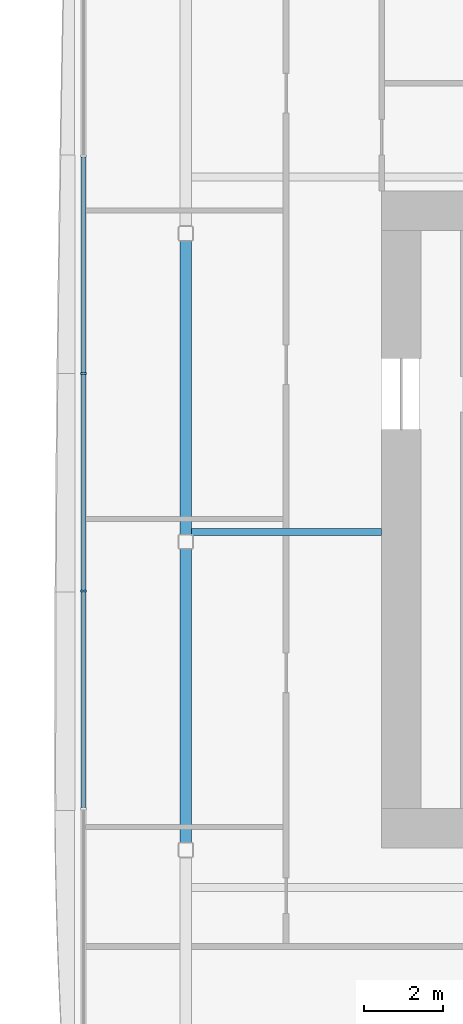
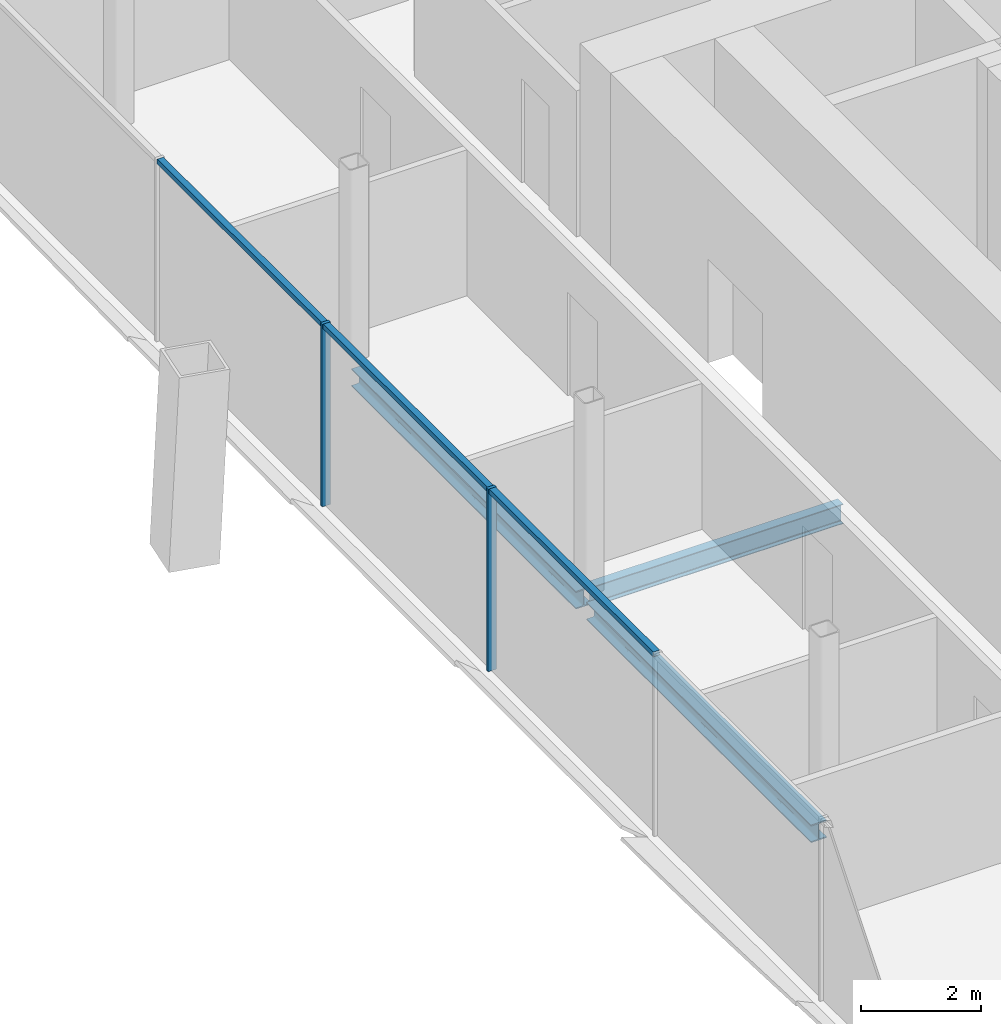
# One storey, part 5 of 20: 5 members, 3 beams, 1 element without a shape of its own.
"""IFC4 building model written with IfcOpenShell, lengths in metres."""

from ifc_helpers import new_model, si_unit, direction, frame, origin, origin_2d, place, context, subcontext, project, spatial, rectangle, i_section, extrude, material, material_profile, profile_set, type_object, element, aggregate, save


model = new_model("IFC4")

# Units and contexts
model_context = context("Model", 3, precision=1e-05, world=origin(), true_north=direction((0.0, 1.0)))
body_context = subcontext(model_context, "Body", "Model", "MODEL_VIEW")
ifc_project = project(units=[si_unit("LENGTHUNIT", "METRE"), si_unit("AREAUNIT", "SQUARE_METRE"), si_unit("VOLUMEUNIT", "CUBIC_METRE"), si_unit("PLANEANGLEUNIT", "RADIAN"), si_unit("MASSUNIT", "GRAM", prefix="KILO")], contexts=[model_context])

# Site, building, storey
site_placement = place(None, origin())
site = spatial("IfcSite", under=ifc_project, at=site_placement, CompositionType="ELEMENT")
building_placement = place(site_placement, origin())
building = spatial("IfcBuilding", under=site, at=building_placement, Name="Tskaro Facet Tower", CompositionType="ELEMENT")
storey_placement = place(building_placement, frame((0.0, 0.0, 69.89990234375)))
storey = spatial("IfcBuildingStorey", under=building, at=storey_placement, Name="L16", CompositionType="ELEMENT", Elevation=69.89990234375)

# Curtain wall, members
ifc_material_1 = material(Name="Bronze anodised aluminium 6063-T6", Category="aluminium")
curtain_wall_type = type_object("IfcCurtainWallType", Name="Bronze office curtain wall (FW1)", PredefinedType="NOTDEFINED", material=ifc_material_1)
curtain_wall_placement = place(storey_placement, origin())
curtain_wall = element("IfcCurtainWall", 1, at=curtain_wall_placement, inside=storey, type_object=curtain_wall_type, Name="FW1 west facet L16", PredefinedType="NOTDEFINED")
ifc_material_profile_1 = material_profile(ifc_material_1, rectangle(XDim=0.06005859375, YDim=0.159912109375, at=origin_2d()), Name="Mullion 60x160")
ifc_profile_set_1 = profile_set([ifc_material_profile_1], Name="Bronze anodised aluminium 6063-T6")
member_type_1 = type_object("IfcMemberType", Name="FW1 bronze mullion 60x160", PredefinedType="MULLION", material=ifc_profile_set_1)
member_1_placement = place(storey_placement, frame((-22.55908203125, -0.478515625, 0.0), z_axis=(0.0, 0.0, 1.0), x_axis=(0.0, -1.0, 0.0)))
member_1 = element("IfcMember", 2, at=member_1_placement, type_object=member_type_1, Name="FW1 west mullion 4", PredefinedType="MULLION", context=body_context, shape_type="SweptSolid", body=[
    extrude(rectangle(XDim=0.06005859375, YDim=0.159912109375, at=origin_2d()), origin(), (0.0, 0.0, 1.0), 3.7001953125),
])
member_2_placement = place(storey_placement, frame((-22.55908203125, -5.99169921875, 0.0), z_axis=(0.0, 0.0, 1.0), x_axis=(0.0, -1.0, 0.0)))
member_2 = element("IfcMember", 3, at=member_2_placement, type_object=member_type_1, Name="FW1 west mullion 5", PredefinedType="MULLION", context=body_context, shape_type="SweptSolid", body=[
    extrude(rectangle(XDim=0.06005859375, YDim=0.159912109375, at=origin_2d()), origin(), (0.0, 0.0, 1.0), 3.7001953125),
])
ifc_material_profile_2 = material_profile(ifc_material_1, rectangle(XDim=0.1201171875, YDim=0.10009765625, at=origin_2d()), Name="Transom 120x100")
ifc_profile_set_2 = profile_set([ifc_material_profile_2], Name="Bronze anodised aluminium 6063-T6")
member_type_2 = type_object("IfcMemberType", Name="FW1 bronze transom 120x100", PredefinedType="USERDEFINED", material=ifc_profile_set_2)
member_3_placement = place(storey_placement, frame((-22.55908203125, 5.004638671875, 3.650146484375), z_axis=(0.0, -1.0, 0.0), x_axis=(1.0, 0.0, 0.0)))
member_3 = element("IfcMember", 4, at=member_3_placement, type_object=member_type_2, Name="FW1 west transom 4.1", ObjectType="TRANSOM", PredefinedType="USERDEFINED", context=body_context, shape_type="SweptSolid", body=[
    extrude(rectangle(XDim=0.1201171875, YDim=0.10009765625, at=origin_2d()), origin(), (0.0, 0.0, 1.0), 5.453125),
])
member_4_placement = place(storey_placement, frame((-22.55908203125, -0.508544921875, 3.650146484375), z_axis=(0.0, -1.0, 0.0), x_axis=(1.0, 0.0, 0.0)))
member_4 = element("IfcMember", 5, at=member_4_placement, type_object=member_type_2, Name="FW1 west transom 5.1", ObjectType="TRANSOM", PredefinedType="USERDEFINED", context=body_context, shape_type="SweptSolid", body=[
    extrude(rectangle(XDim=0.1201171875, YDim=0.10009765625, at=origin_2d()), origin(), (0.0, 0.0, 1.0), 5.453125),
])
member_5_placement = place(storey_placement, frame((-22.55908203125, -6.021728515625, 3.650146484375), z_axis=(0.0, -1.0, 0.0), x_axis=(1.0, 0.0, 0.0)))
member_5 = element("IfcMember", 6, at=member_5_placement, type_object=member_type_2, Name="FW1 west transom 6.1", ObjectType="TRANSOM", PredefinedType="USERDEFINED", context=body_context, shape_type="SweptSolid", body=[
    extrude(rectangle(XDim=0.1201171875, YDim=0.10009765625, at=origin_2d()), origin(), (0.0, 0.0, 1.0), 5.453125),
])
aggregate(curtain_wall, [member_1, member_2, member_3, member_4, member_5])

# Beams
ifc_material_2 = material(Name="Steel S355J2", Category="steel")
ifc_material_profile_3 = material_profile(ifc_material_2, i_section(OverallWidth=0.300048828125, OverallDepth=0.360107421875, WebThickness=0.012451171875, FlangeThickness=0.0224609375, FilletRadius=0.027099609375, at=origin_2d()), Name="HE 360 B")
ifc_profile_set_3 = profile_set([ifc_material_profile_3], Name="Steel S355J2")
beam_type_1 = type_object("IfcBeamType", Name="HE 360 B ring beam", PredefinedType="BEAM", material=ifc_profile_set_3)
beam_1_placement = place(storey_placement, frame((-19.965087890625, 2.887939453125, -0.31982421875), z_axis=(0.0, -1.0, 0.0), x_axis=(1.0, 0.0, 0.0)))
element("IfcBeam", 7, at=beam_1_placement, inside=storey, type_object=beam_type_1, Name="HE 360 B EB21-2", PredefinedType="BEAM", context=body_context, shape_type="SweptSolid", body=[
    extrude(i_section(OverallWidth=0.300048828125, OverallDepth=0.360107421875, WebThickness=0.012451171875, FlangeThickness=0.0224609375, FilletRadius=0.027099609375, at=origin_2d()), origin(), (0.0, 0.0, 1.0), 7.449951171875),
])
beam_2_placement = place(storey_placement, frame((-19.965087890625, -4.922119140625, -0.31982421875), z_axis=(0.0, -1.0, 0.0), x_axis=(1.0, 0.0, 0.0)))
element("IfcBeam", 8, at=beam_2_placement, inside=storey, type_object=beam_type_1, Name="HE 360 B EB22-2", PredefinedType="BEAM", context=body_context, shape_type="SweptSolid", body=[
    extrude(i_section(OverallWidth=0.300048828125, OverallDepth=0.360107421875, WebThickness=0.012451171875, FlangeThickness=0.0224609375, FilletRadius=0.027099609375, at=origin_2d()), origin(), (0.0, 0.0, 1.0), 7.450927734375),
])
ifc_material_profile_4 = material_profile(ifc_material_2, i_section(OverallWidth=0.179931640625, OverallDepth=0.39990234375, WebThickness=0.008544921875, FlangeThickness=0.013427734375, FilletRadius=0.02099609375, at=origin_2d()), Name="IPE 400")
ifc_profile_set_4 = profile_set([ifc_material_profile_4], Name="Steel S355J2")
beam_type_2 = type_object("IfcBeamType", Name="IPE 400 secondary beam", PredefinedType="BEAM", material=ifc_profile_set_4)
beam_3_placement = place(storey_placement, frame((-19.81494140625, -4.5, -0.33984375), z_axis=(1.0, 0.0, 0.0), x_axis=(0.0, 1.0, 0.0)))
element("IfcBeam", 9, at=beam_3_placement, inside=storey, type_object=beam_type_2, Name="IPE 400 SB3a-1-2", PredefinedType="BEAM", context=body_context, shape_type="SweptSolid", body=[
    extrude(i_section(OverallWidth=0.179931640625, OverallDepth=0.39990234375, WebThickness=0.008544921875, FlangeThickness=0.013427734375, FilletRadius=0.02099609375, at=origin_2d()), origin(), (0.0, 0.0, 1.0), 4.81494140625),
])

save(model, "model.ifc")
